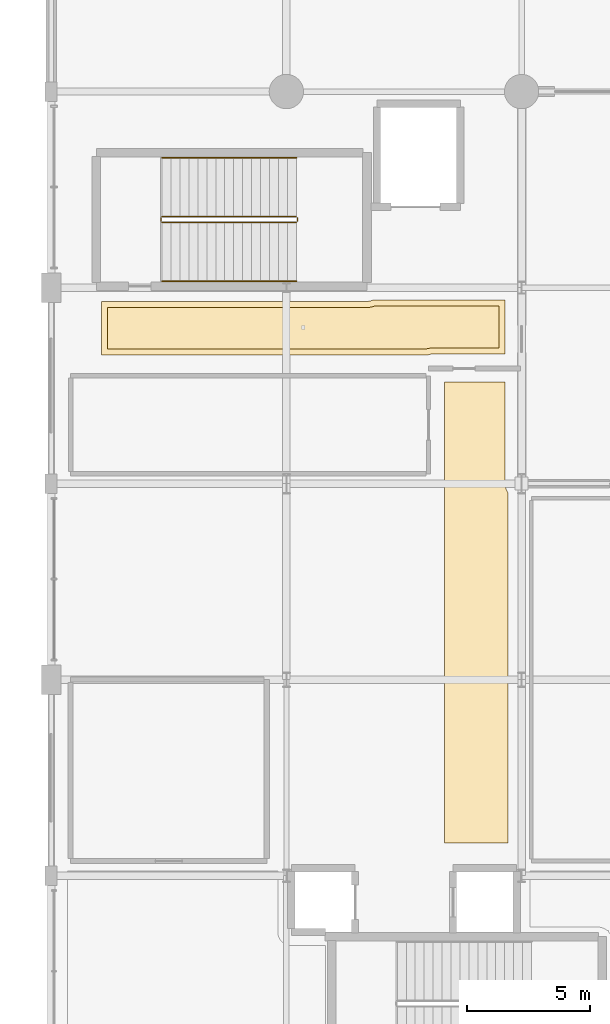
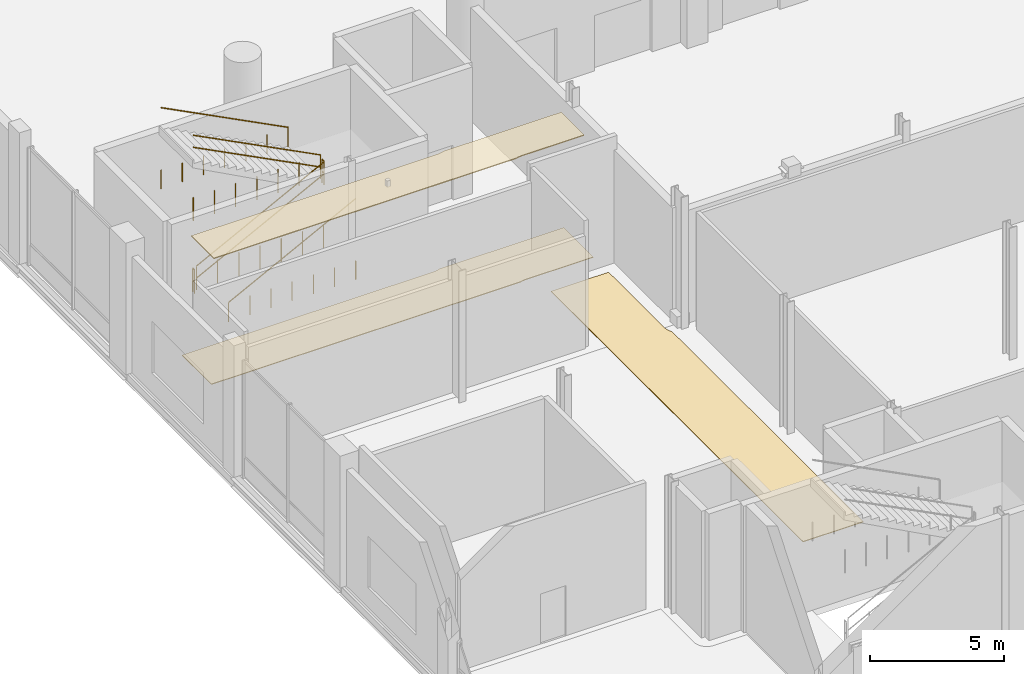
# One storey, part 105 of 124: 6 railings, 3 coverings.
"""IFC4 building model written with IfcOpenShell, lengths in metres."""

from ifc_helpers import new_model, si_unit, direction, frame, origin, origin_2d, place, context, subcontext, project, spatial, polyline, circle, outline, extrude, material, layer, layer_set, type_object, element, save


model = new_model("IFC4")

# Units and contexts
model_context = context("Model", 3, precision=1e-05, world=origin(), true_north=direction((0.0, 1.0)))
body_context = subcontext(model_context, "Body", "Model", "MODEL_VIEW")
ifc_project = project(units=[si_unit("LENGTHUNIT", "METRE"), si_unit("AREAUNIT", "SQUARE_METRE"), si_unit("VOLUMEUNIT", "CUBIC_METRE"), si_unit("PLANEANGLEUNIT", "RADIAN"), si_unit("MASSUNIT", "GRAM", prefix="KILO")], contexts=[model_context])

# Site, building, storey
site_placement = place(None, origin())
site = spatial("IfcSite", under=ifc_project, at=site_placement, CompositionType="ELEMENT")
building_placement = place(site_placement, origin())
building = spatial("IfcBuilding", under=site, at=building_placement, Name="Danafjord Basin Convention Centre", CompositionType="ELEMENT")
storey_placement = place(building_placement, origin())
storey = spatial("IfcBuildingStorey", under=building, at=storey_placement, Name="L00", CompositionType="ELEMENT", Elevation=0.0)

# Coverings
ifc_material_1 = material(Name="Perforated Nordic birch acoustic slats")
ifc_layer_1 = layer(ifc_material_1, 0.0400390625)
ifc_layer_set_1 = layer_set([ifc_layer_1], Name="Perforated Nordic birch acoustic slats")
covering_type_1 = type_object("IfcCoveringType", Name="COV-CLG-AC01", PredefinedType="CEILING", material=ifc_layer_set_1)
covering_1_placement = place(storey_placement, frame((0.0, 0.0, 5.489990234375)))
element("IfcCovering", 1, at=covering_1_placement, inside=storey, type_object=covering_type_1, Name="West Core Protected Exit Vestibule acoustic ceiling", PredefinedType="CEILING", context=body_context, shape_type="SweptSolid", body=[
    extrude(outline(polyline([(12.889892578125, 47.18994140625), (12.93408203125, 47.19091796875), (12.949951171875, 47.19189453125), (12.9990234375, 47.197021484375), (13.013916015625, 47.198974609375), (13.10107421875, 47.217041015625), (13.115966796875, 47.220947265625), (13.156982421875, 47.23291015625), (13.172119140625, 47.238037109375), (13.197021484375, 47.248046875), (18.280029296875, 47.25), (18.280029296875, 45.5400390625), (15.60009765625, 45.5400390625), (15.555908203125, 45.5390625), (15.5400390625, 45.5380859375), (15.537109375, 45.537109375), (15.52197265625, 45.535888671875), (15.448974609375, 45.528076171875), (15.426025390625, 45.52392578125), (15.342041015625, 45.50390625), (15.330078125, 45.5), (2.300048828125, 45.5), (2.300048828125, 47.18994140625), (12.889892578125, 47.18994140625)])), origin(), (0.0, 0.0, 1.0), 0.0400390625),
])
ifc_material_2 = material(Name="Polished Bohus granite terrazzo", Category="masonry")
ifc_layer_2 = layer(ifc_material_2, 0.030029296875)
ifc_layer_set_2 = layer_set([ifc_layer_2], Name="Polished Bohus granite terrazzo")
covering_type_2 = type_object("IfcCoveringType", Name="COV-FLR-TER01", PredefinedType="FLOORING", material=ifc_layer_set_2)
covering_2_placement = place(storey_placement, origin())
element("IfcCovering", 2, at=covering_2_placement, inside=storey, type_object=covering_type_2, Name="West Exhibition Link Pre-Function Foyer finish flooring", PredefinedType="FLOORING", context=body_context, shape_type="SweptSolid", body=[
    extrude(outline(polyline([(18.530029296875, 44.14990234375), (18.530029296875, 40.0), (18.530029296875, 39.97998046875), (18.531005859375, 39.9580078125), (18.535888671875, 39.9140625), (18.5390625, 39.89306640625), (18.5458984375, 39.85302734375), (18.551025390625, 39.83203125), (18.571044921875, 39.76904296875), (18.5791015625, 39.7490234375), (18.5869140625, 39.73095703125), (18.595947265625, 39.7109375), (18.6220703125, 39.660888671875), (18.633056640625, 39.64306640625), (18.64599609375, 39.6240234375), (18.64990234375, 25.340087890625), (16.050048828125, 25.340087890625), (16.050048828125, 44.14990234375), (18.530029296875, 44.14990234375)])), origin(), (0.0, 0.0, 1.0), 0.030029296875),
])
covering_3_placement = place(storey_placement, origin())
element("IfcCovering", 3, at=covering_3_placement, inside=storey, type_object=covering_type_2, Name="West Core Protected Exit Vestibule finish flooring", PredefinedType="FLOORING", context=body_context, shape_type="SweptSolid", body=[
    extrude(outline(polyline([(12.889892578125, 47.43994140625), (12.91796875, 47.44091796875), (12.93408203125, 47.44189453125), (12.965087890625, 47.445068359375), (12.97998046875, 47.447021484375), (13.037109375, 47.4580078125), (13.052001953125, 47.4619140625), (13.077880859375, 47.469970703125), (13.093017578125, 47.47509765625), (13.14892578125, 47.498046875), (18.530029296875, 47.5), (18.530029296875, 45.2900390625), (15.60009765625, 45.2900390625), (15.572021484375, 45.2890625), (15.555908203125, 45.2880859375), (15.553955078125, 45.2880859375), (15.5390625, 45.287109375), (15.491943359375, 45.281005859375), (15.468994140625, 45.277099609375), (15.4150390625, 45.264892578125), (15.39208984375, 45.258056640625), (15.368896484375, 45.25), (2.050048828125, 45.25), (2.050048828125, 47.43994140625), (12.889892578125, 47.43994140625)])), origin(), (0.0, 0.0, 1.0), 0.030029296875),
])

# Railings
ifc_material_3 = material(Name="Galvanised steel S355", Category="steel")
railing_type_1 = type_object("IfcRailingType", Name="RL-GD-WELL", PredefinedType="BALUSTRADE", material=ifc_material_3)
railing_1_placement = place(storey_placement, frame((4.530029296875, 50.659912109375, 0.1875)))
element("IfcRailing", 4, at=railing_1_placement, inside=storey, type_object=railing_type_1, Name="L00 ST-07 stair guard 1", PredefinedType="BALUSTRADE", context=body_context, shape_type="SweptSolid", body=[
    extrude(circle(Radius=0.02392578125, at=origin_2d()), frame((0.0, 0.0, 1.076171875), z_axis=(0.889495128042, 0.0, 0.456944654405), x_axis=(0.0, 1.0, 0.0)), (0.0, 0.0, 1.0), 6.155029296875),
    extrude(circle(Radius=0.02392578125, at=origin_2d()), frame((0.0, 0.0, 0.52587890625), z_axis=(0.889495128042, 0.0, 0.456944654405), x_axis=(0.0, 1.0, 0.0)), (0.0, 0.0, 1.0), 6.155029296875),
    extrude(circle(Radius=0.02099609375, at=origin_2d()), origin(), (0.0, 0.0, 1.0), 1.050048828125),
    extrude(circle(Radius=0.02099609375, at=origin_2d()), frame((0.91259765625, 0.0, 0.0)), (0.0, 0.0, 1.0), 1.050048828125),
    extrude(circle(Radius=0.02099609375, at=origin_2d()), frame((1.824951171875, 0.0, 0.0)), (0.0, 0.0, 1.0), 1.050048828125),
    extrude(circle(Radius=0.02099609375, at=origin_2d()), frame((2.7373046875, 0.0, 0.0)), (0.0, 0.0, 1.0), 1.050048828125),
    extrude(circle(Radius=0.02099609375, at=origin_2d()), frame((3.64990234375, 0.0, 0.0)), (0.0, 0.0, 1.0), 1.050048828125),
    extrude(circle(Radius=0.02099609375, at=origin_2d()), frame((4.5625, 0.0, 0.0)), (0.0, 0.0, 1.0), 1.050048828125),
    extrude(circle(Radius=0.02099609375, at=origin_2d()), frame((5.474853515625, 0.0, 0.0)), (0.0, 0.0, 1.0), 1.050048828125),
])
railing_2_placement = place(storey_placement, frame((10.054931640625, 50.7099609375, 3.0)))
element("IfcRailing", 5, at=railing_2_placement, inside=storey, type_object=railing_type_1, Name="L00 ST-07 stair guard 2", PredefinedType="BALUSTRADE", context=body_context, shape_type="SweptSolid", body=[
    extrude(circle(Radius=0.02392578125, at=origin_2d()), frame((0.0, 0.0, 1.076171875), z_axis=(0.0, 1.0, 0.0), x_axis=(-1.0, 0.0, 0.0)), (0.0, 0.0, 1.0), 0.14013671875),
    extrude(circle(Radius=0.02392578125, at=origin_2d()), frame((0.0, 0.0, 0.52587890625), z_axis=(0.0, 1.0, 0.0), x_axis=(-1.0, 0.0, 0.0)), (0.0, 0.0, 1.0), 0.14013671875),
    extrude(circle(Radius=0.02099609375, at=origin_2d()), origin(), (0.0, 0.0, 1.0), 1.050048828125),
    extrude(circle(Radius=0.02099609375, at=origin_2d()), frame((0.0, 0.14013671875, 0.0)), (0.0, 0.0, 1.0), 1.050048828125),
])
railing_3_placement = place(storey_placement, frame((10.0048828125, 50.89990234375, 3.1875)))
element("IfcRailing", 6, at=railing_3_placement, inside=storey, type_object=railing_type_1, Name="L00 ST-07 stair guard 3", PredefinedType="BALUSTRADE", context=body_context, shape_type="SweptSolid", body=[
    extrude(circle(Radius=0.02392578125, at=origin_2d()), frame((0.0, 0.0, 1.076171875), z_axis=(-0.889495128042, 0.0, 0.456944654405), x_axis=(0.0, -1.0, 0.0)), (0.0, 0.0, 1.0), 6.155029296875),
    extrude(circle(Radius=0.02392578125, at=origin_2d()), frame((0.0, 0.0, 0.52587890625), z_axis=(-0.889495128042, 0.0, 0.456944654405), x_axis=(0.0, -1.0, 0.0)), (0.0, 0.0, 1.0), 6.155029296875),
    extrude(circle(Radius=0.02099609375, at=origin_2d()), origin(), (0.0, 0.0, 1.0), 1.050048828125),
    extrude(circle(Radius=0.02099609375, at=origin_2d()), frame((-0.91259765625, 0.0, 0.0)), (0.0, 0.0, 1.0), 1.050048828125),
    extrude(circle(Radius=0.02099609375, at=origin_2d()), frame((-1.824951171875, 0.0, 0.0)), (0.0, 0.0, 1.0), 1.050048828125),
    extrude(circle(Radius=0.02099609375, at=origin_2d()), frame((-2.7373046875, 0.0, 0.0)), (0.0, 0.0, 1.0), 1.050048828125),
    extrude(circle(Radius=0.02099609375, at=origin_2d()), frame((-3.64990234375, 0.0, 0.0)), (0.0, 0.0, 1.0), 1.050048828125),
    extrude(circle(Radius=0.02099609375, at=origin_2d()), frame((-4.5625, 0.0, 0.0)), (0.0, 0.0, 1.0), 1.050048828125),
    extrude(circle(Radius=0.02099609375, at=origin_2d()), frame((-5.474853515625, 0.0, 0.0)), (0.0, 0.0, 1.0), 1.050048828125),
])
railing_4_placement = place(storey_placement, frame((4.47998046875, 50.7099609375, 0.0)))
element("IfcRailing", 7, at=railing_4_placement, inside=storey, type_object=railing_type_1, Name="L00 ST-07 stair guard 4", PredefinedType="BALUSTRADE", context=body_context, shape_type="SweptSolid", body=[
    extrude(circle(Radius=0.02392578125, at=origin_2d()), frame((0.0, 0.0, 1.076171875), z_axis=(0.0, 1.0, 0.0), x_axis=(-1.0, 0.0, 0.0)), (0.0, 0.0, 1.0), 0.14013671875),
    extrude(circle(Radius=0.02392578125, at=origin_2d()), frame((0.0, 0.0, 0.52587890625), z_axis=(0.0, 1.0, 0.0), x_axis=(-1.0, 0.0, 0.0)), (0.0, 0.0, 1.0), 0.14013671875),
    extrude(circle(Radius=0.02099609375, at=origin_2d()), origin(), (0.0, 0.0, 1.0), 1.050048828125),
    extrude(circle(Radius=0.02099609375, at=origin_2d()), frame((0.0, 0.14013671875, 0.0)), (0.0, 0.0, 1.0), 1.050048828125),
])
ifc_material_4 = material(Name="Brushed stainless steel EN 1.4404", Category="steel")
railing_type_2 = type_object("IfcRailingType", Name="RL-HR-STAIR", PredefinedType="HANDRAIL", material=ifc_material_4)
railing_5_placement = place(storey_placement, frame((4.530029296875, 48.260009765625, 0.1875)))
element("IfcRailing", 8, at=railing_5_placement, inside=storey, type_object=railing_type_2, Name="L00 ST-07 stair handrail 1", PredefinedType="HANDRAIL", context=body_context, shape_type="SweptSolid", body=[
    extrude(circle(Radius=0.02392578125, at=origin_2d()), frame((0.0, 0.0, 0.8759765625), z_axis=(0.889495128042, 0.0, 0.456944654405), x_axis=(0.0, 1.0, 0.0)), (0.0, 0.0, 1.0), 6.155029296875),
    extrude(circle(Radius=0.02099609375, at=origin_2d()), origin(), (0.0, 0.0, 1.0), 0.849853515625),
    extrude(circle(Radius=0.02099609375, at=origin_2d()), frame((0.91259765625, 0.0, 0.0)), (0.0, 0.0, 1.0), 0.849853515625),
    extrude(circle(Radius=0.02099609375, at=origin_2d()), frame((1.824951171875, 0.0, 0.0)), (0.0, 0.0, 1.0), 0.849853515625),
    extrude(circle(Radius=0.02099609375, at=origin_2d()), frame((2.7373046875, 0.0, 0.0)), (0.0, 0.0, 1.0), 0.849853515625),
    extrude(circle(Radius=0.02099609375, at=origin_2d()), frame((3.64990234375, 0.0, 0.0)), (0.0, 0.0, 1.0), 0.849853515625),
    extrude(circle(Radius=0.02099609375, at=origin_2d()), frame((4.5625, 0.0, 0.0)), (0.0, 0.0, 1.0), 0.849853515625),
    extrude(circle(Radius=0.02099609375, at=origin_2d()), frame((5.474853515625, 0.0, 0.0)), (0.0, 0.0, 1.0), 0.849853515625),
])
railing_6_placement = place(storey_placement, frame((10.0048828125, 53.300048828125, 3.1875)))
element("IfcRailing", 9, at=railing_6_placement, inside=storey, type_object=railing_type_2, Name="L00 ST-07 stair handrail 2", PredefinedType="HANDRAIL", context=body_context, shape_type="SweptSolid", body=[
    extrude(circle(Radius=0.02392578125, at=origin_2d()), frame((0.0, 0.0, 0.8759765625), z_axis=(-0.889495128042, 0.0, 0.456944654405), x_axis=(0.0, -1.0, 0.0)), (0.0, 0.0, 1.0), 6.155029296875),
    extrude(circle(Radius=0.02099609375, at=origin_2d()), origin(), (0.0, 0.0, 1.0), 0.849853515625),
    extrude(circle(Radius=0.02099609375, at=origin_2d()), frame((-0.91259765625, 0.0, 0.0)), (0.0, 0.0, 1.0), 0.849853515625),
    extrude(circle(Radius=0.02099609375, at=origin_2d()), frame((-1.824951171875, 0.0, 0.0)), (0.0, 0.0, 1.0), 0.849853515625),
    extrude(circle(Radius=0.02099609375, at=origin_2d()), frame((-2.7373046875, 0.0, 0.0)), (0.0, 0.0, 1.0), 0.849853515625),
    extrude(circle(Radius=0.02099609375, at=origin_2d()), frame((-3.64990234375, 0.0, 0.0)), (0.0, 0.0, 1.0), 0.849853515625),
    extrude(circle(Radius=0.02099609375, at=origin_2d()), frame((-4.5625, 0.0, 0.0)), (0.0, 0.0, 1.0), 0.849853515625),
    extrude(circle(Radius=0.02099609375, at=origin_2d()), frame((-5.474853515625, 0.0, 0.0)), (0.0, 0.0, 1.0), 0.849853515625),
])

save(model, "model.ifc")
